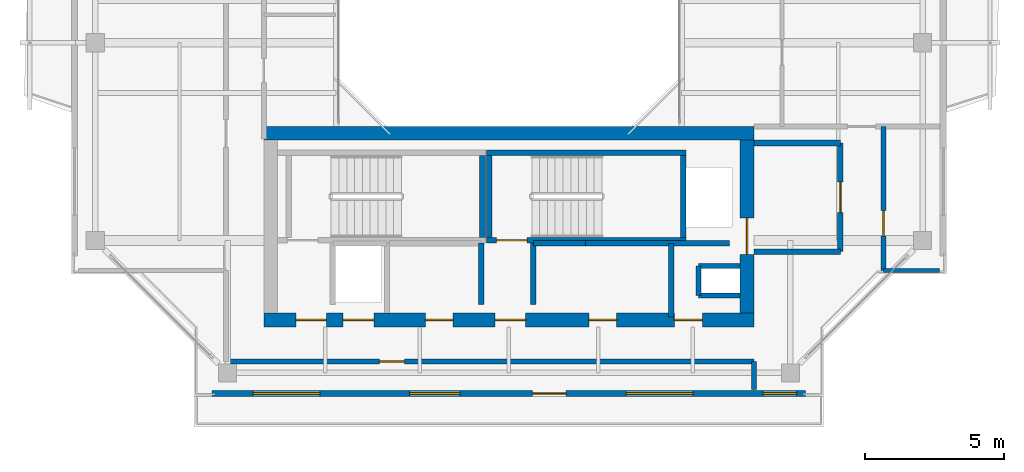
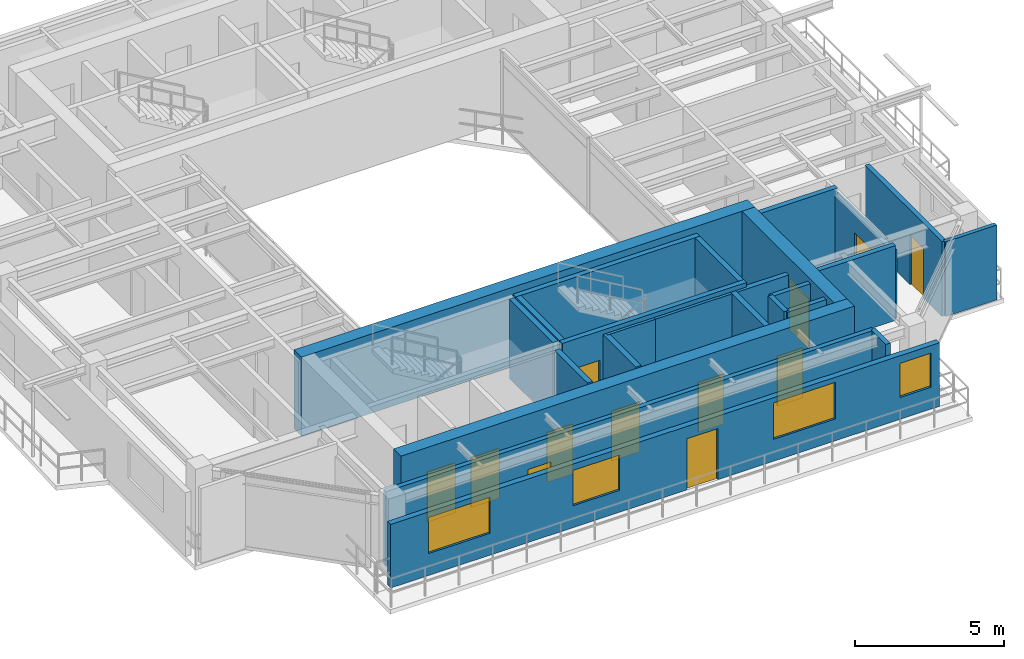
# One storey, part 9 of 15: 24 walls, 12 doors, 4 windows, 16 openings.
"""IFC4 building model written with IfcOpenShell, lengths in metres."""

from ifc_helpers import new_model, si_unit, direction, frame, frame_2d, origin, place, context, subcontext, project, spatial, rectangle, extrude, source, transform, mapped, material, layer, layer_set, type_object, element, fill, save


model = new_model("IFC4")

# Units and contexts
model_context = context("Model", 3, precision=1e-05, world=origin(), true_north=direction((0.0, 1.0)))
body_context = subcontext(model_context, "Body", "Model", "MODEL_VIEW")
ifc_project = project(units=[si_unit("LENGTHUNIT", "METRE"), si_unit("AREAUNIT", "SQUARE_METRE"), si_unit("VOLUMEUNIT", "CUBIC_METRE"), si_unit("PLANEANGLEUNIT", "RADIAN"), si_unit("MASSUNIT", "GRAM", prefix="KILO"), si_unit("THERMODYNAMICTEMPERATUREUNIT", "KELVIN"), si_unit("POWERUNIT", "WATT")], contexts=[model_context])

# Site, building, storey
site_placement = place(None, origin())
site = spatial("IfcSite", under=ifc_project, at=site_placement, CompositionType="ELEMENT")
building_placement = place(site_placement, origin())
building = spatial("IfcBuilding", under=site, at=building_placement, Name="Qiaomeng Ring Towers", CompositionType="ELEMENT")
storey_placement = place(building_placement, frame((0.0, 0.0, 237.25)))
storey = spatial("IfcBuildingStorey", under=building, at=storey_placement, Name="L69", CompositionType="ELEMENT", Elevation=237.25)

# Wall, openings, windows, door
ifc_material_1 = material(Name="Precast concrete C40", Category="concrete")
ifc_layer_1 = layer(ifc_material_1, 0.219970703125, Name="Precast concrete C40")
ifc_layer_set_1 = layer_set([ifc_layer_1], Name="Precast concrete C40")
wall_type_1 = type_object("IfcWallType", Name="ARC-WL-EW2", PredefinedType="STANDARD", material=ifc_layer_set_1)
wall_1_placement = place(storey_placement, frame((8.35009765625, 7.409912109375, 0.0), z_axis=(0.0, 0.0, 1.0), x_axis=(1.0, 0.0, 0.0)))
wall_1 = element("IfcWall", 1, at=wall_1_placement, inside=storey, type_object=wall_type_1, Name="L69 Tower 1 S Exterior Wall", PredefinedType="STANDARD", context=body_context, shape_type="SweptSolid", body=[
    extrude(rectangle(XDim=21.2998046875, YDim=0.219970703125, at=frame_2d((10.64990234375, 0.0))), origin(), (0.0, 0.0, 1.0), 2.610107421875),
])
opening_1_placement = place(wall_1_placement, frame((11.5, 0.0, 0.0)))
opening_1 = element("IfcOpeningElement", 2, at=opening_1_placement, cuts=wall_1, Name="Opening BD1", PredefinedType="OPENING", context=body_context, shape_type="SweptSolid", body=[
    extrude(rectangle(XDim=1.199951171875, YDim=2.10009765625, at=frame_2d((0.60009765625, 1.050048828125))), frame((0.0, 0.119873046875, 0.0), z_axis=(0.0, -1.0, 0.0), x_axis=(1.0, 0.0, 0.0)), (0.0, 0.0, 1.0), 0.239990234375),
])
opening_2_placement = place(wall_1_placement, frame((1.462890625, 0.0, 0.89990234375)))
opening_2 = element("IfcOpeningElement", 3, at=opening_2_placement, cuts=wall_1, Name="Opening WN6", PredefinedType="OPENING", context=body_context, shape_type="SweptSolid", body=[
    extrude(rectangle(XDim=2.39990234375, YDim=1.47998046875, at=frame_2d((1.199951171875, 0.739990234375))), frame((0.0, 0.119873046875, 0.0), z_axis=(0.0, -1.0, 0.0), x_axis=(1.0, 0.0, 0.0)), (0.0, 0.0, 1.0), 0.239990234375),
])
opening_3_placement = place(wall_1_placement, frame((7.087890625, 0.0, 0.89990234375)))
opening_3 = element("IfcOpeningElement", 4, at=opening_3_placement, cuts=wall_1, Name="Opening WN1", PredefinedType="OPENING", context=body_context, shape_type="SweptSolid", body=[
    extrude(rectangle(XDim=1.800048828125, YDim=1.449951171875, at=frame_2d((0.89990234375, 0.72509765625))), frame((0.0, 0.119873046875, 0.0), z_axis=(0.0, -1.0, 0.0), x_axis=(1.0, 0.0, 0.0)), (0.0, 0.0, 1.0), 0.239990234375),
])
opening_4_placement = place(wall_1_placement, frame((19.77490234375, 0.0, 0.89990234375)))
opening_4 = element("IfcOpeningElement", 5, at=opening_4_placement, cuts=wall_1, Name="Opening WN3", PredefinedType="OPENING", context=body_context, shape_type="SweptSolid", body=[
    extrude(rectangle(XDim=1.199951171875, YDim=1.39990234375, at=frame_2d((0.60009765625, 0.699951171875))), frame((0.0, 0.119873046875, 0.0), z_axis=(0.0, -1.0, 0.0), x_axis=(1.0, 0.0, 0.0)), (0.0, 0.0, 1.0), 0.239990234375),
])
opening_5_placement = place(wall_1_placement, frame((14.860107421875, 0.0, 0.89990234375)))
opening_5 = element("IfcOpeningElement", 6, at=opening_5_placement, cuts=wall_1, Name="Opening WN6", PredefinedType="OPENING", context=body_context, shape_type="SweptSolid", body=[
    extrude(rectangle(XDim=2.39990234375, YDim=1.5, at=frame_2d((1.199951171875, 0.75))), frame((0.0, 0.119873046875, 0.0), z_axis=(0.0, -1.0, 0.0), x_axis=(1.0, 0.0, 0.0)), (0.0, 0.0, 1.0), 0.239990234375),
])
ifc_material_2 = material(Name="Low-E dark-grey laminated double glazing", Category="glass")
window_type_1 = type_object("IfcWindowType", Name="ARC-WN-1", PartitioningType="DOUBLE_PANEL_VERTICAL", PredefinedType="WINDOW", material=ifc_material_2)
shared_shape_1 = source(origin(), body_context, "Body", "SweptSolid", [
    extrude(rectangle(XDim=1.800048828125, YDim=1.449951171875, at=frame_2d((0.89990234375, 0.72509765625))), frame((0.0, 0.030029296875, 0.0), z_axis=(0.0, -1.0, 0.0), x_axis=(1.0, 0.0, 0.0)), (0.0, 0.0, 1.0), 0.06005859375),
])
window_1_placement = place(opening_3_placement, origin())
window_1 = element("IfcWindow", 7, at=window_1_placement, inside=storey, type_object=window_type_1, Name="L69 Exterior Window WN1", OverallHeight=1.449951171875, OverallWidth=1.800048828125, PartitioningType="DOUBLE_PANEL_VERTICAL", PredefinedType="WINDOW", context=body_context, shape_type="MappedRepresentation", body=[
    mapped(shared_shape_1, transform((0.0, 0.0, 0.0), x_axis=(1.0, 0.0, 0.0), y_axis=(0.0, 1.0, 0.0), z_axis=(0.0, 0.0, 1.0), scale=1.0)),
])
fill(opening_3, window_1)
window_type_2 = type_object("IfcWindowType", Name="ARC-WN-6", PartitioningType="TRIPLE_PANEL_VERTICAL", PredefinedType="WINDOW", material=ifc_material_2)
shared_shape_2 = source(origin(), body_context, "Body", "SweptSolid", [
    extrude(rectangle(XDim=2.39990234375, YDim=1.47998046875, at=frame_2d((1.199951171875, 0.739990234375))), frame((0.0, 0.030029296875, 0.0), z_axis=(0.0, -1.0, 0.0), x_axis=(1.0, 0.0, 0.0)), (0.0, 0.0, 1.0), 0.06005859375),
])
window_2_placement = place(opening_2_placement, origin())
window_2 = element("IfcWindow", 8, at=window_2_placement, inside=storey, type_object=window_type_2, Name="L69 Exterior Window WN6", OverallHeight=1.47998046875, OverallWidth=2.39990234375, PartitioningType="TRIPLE_PANEL_VERTICAL", PredefinedType="WINDOW", context=body_context, shape_type="MappedRepresentation", body=[
    mapped(shared_shape_2, transform((0.0, 0.0, 0.0), x_axis=(1.0, 0.0, 0.0), y_axis=(0.0, 1.0, 0.0), z_axis=(0.0, 0.0, 1.0), scale=1.0)),
])
fill(opening_2, window_2)
door_type_1 = type_object("IfcDoorType", Name="ARC-DR-BD1", OperationType="NOTDEFINED", PredefinedType="DOOR", material=ifc_material_2)
shared_shape_3 = source(origin(), body_context, "Body", "SweptSolid", [
    extrude(rectangle(XDim=1.199951171875, YDim=2.10009765625, at=frame_2d((0.60009765625, 1.050048828125))), frame((0.0, 0.02490234375, 0.0), z_axis=(0.0, -1.0, 0.0), x_axis=(1.0, 0.0, 0.0)), (0.0, 0.0, 1.0), 0.050048828125),
])
door_1_placement = place(opening_1_placement, frame((1.199951171875, 0.0, 0.0), z_axis=(0.0, 0.0, 1.0), x_axis=(-1.0, 0.0, 0.0)))
door_1 = element("IfcDoor", 9, at=door_1_placement, inside=storey, type_object=door_type_1, Name="L69 Setback Sky Terrace Door", OperationType="SINGLE_SWING_RIGHT", OverallHeight=2.10009765625, OverallWidth=1.199951171875, PredefinedType="DOOR", context=body_context, shape_type="MappedRepresentation", body=[
    mapped(shared_shape_3, transform((0.0, 0.0, 0.0), x_axis=(1.0, 0.0, 0.0), y_axis=(0.0, 1.0, 0.0), z_axis=(0.0, 0.0, 1.0), scale=1.0)),
])
fill(opening_1, door_1)
shared_shape_4 = source(origin(), body_context, "Body", "SweptSolid", [
    extrude(rectangle(XDim=2.39990234375, YDim=1.5, at=frame_2d((1.199951171875, 0.75))), frame((0.0, 0.030029296875, 0.0), z_axis=(0.0, -1.0, 0.0), x_axis=(1.0, 0.0, 0.0)), (0.0, 0.0, 1.0), 0.06005859375),
])
window_3_placement = place(opening_5_placement, origin())
window_3 = element("IfcWindow", 10, at=window_3_placement, inside=storey, type_object=window_type_2, Name="L69 Exterior Window WN6", OverallHeight=1.5, OverallWidth=2.39990234375, PartitioningType="TRIPLE_PANEL_VERTICAL", PredefinedType="WINDOW", context=body_context, shape_type="MappedRepresentation", body=[
    mapped(shared_shape_4, transform((0.0, 0.0, 0.0), x_axis=(1.0, 0.0, 0.0), y_axis=(0.0, 1.0, 0.0), z_axis=(0.0, 0.0, 1.0), scale=1.0)),
])
fill(opening_5, window_3)
window_type_3 = type_object("IfcWindowType", Name="ARC-WN-3", PartitioningType="SINGLE_PANEL", PredefinedType="WINDOW", material=ifc_material_2)
shared_shape_5 = source(origin(), body_context, "Body", "SweptSolid", [
    extrude(rectangle(XDim=1.199951171875, YDim=1.39990234375, at=frame_2d((0.60009765625, 0.699951171875))), frame((0.0, 0.030029296875, 0.0), z_axis=(0.0, -1.0, 0.0), x_axis=(1.0, 0.0, 0.0)), (0.0, 0.0, 1.0), 0.06005859375),
])
window_4_placement = place(opening_4_placement, origin())
window_4 = element("IfcWindow", 11, at=window_4_placement, inside=storey, type_object=window_type_3, Name="L69 Exterior Window WN4", OverallHeight=1.39990234375, OverallWidth=1.199951171875, PartitioningType="TRIPLE_PANEL_VERTICAL", PredefinedType="WINDOW", context=body_context, shape_type="MappedRepresentation", body=[
    mapped(shared_shape_5, transform((0.0, 0.0, 0.0), x_axis=(1.0, 0.0, 0.0), y_axis=(0.0, 1.0, 0.0), z_axis=(0.0, 0.0, 1.0), scale=1.0)),
])
fill(opening_4, window_4)

# Walls
ifc_material_3 = material(Name="Autoclaved aerated concrete block", Category="concrete")
ifc_layer_2 = layer(ifc_material_3, 0.199951171875, Name="Autoclaved aerated concrete block")
ifc_layer_set_2 = layer_set([ifc_layer_2], Name="Autoclaved aerated concrete block")
wall_type_2 = type_object("IfcWallType", Name="ARC-WL-PW1", PredefinedType="PARTITIONING", material=ifc_layer_set_2)
for number, where, z_axis, x_axis, name in (
    (12, (27.800048828125, 16.39990234375, 0.0), (0.0, 0.0, 1.0), (1.0, 0.0, 0.0), "L69 Interior Wall PW1"),
    (13, (27.800048828125, 12.5, 0.0), (0.0, 0.0, 1.0), (1.0, 0.0, 0.0), "L69 Interior Wall PW1"),
):
    element("IfcWall", number, at=place(storey_placement, frame(where, z_axis=z_axis, x_axis=x_axis)), inside=storey, type_object=wall_type_2, Name=name, PredefinedType="PARTITIONING", context=body_context, shape_type="SweptSolid", body=[
        extrude(rectangle(XDim=3.099853515625, YDim=0.199951171875, at=frame_2d((1.5498046875, 0.0))), origin(), (0.0, 0.0, 1.0), 3.070068359375),
    ])

# Wall, opening, door
wall_2_placement = place(storey_placement, frame((30.89990234375, 12.5, 0.0), z_axis=(0.0, 0.0, 1.0), x_axis=(0.0, 1.0, 0.0)))
wall_2 = element("IfcWall", 14, at=wall_2_placement, inside=storey, type_object=wall_type_2, Name="L69 Interior Wall PW1", PredefinedType="PARTITIONING", context=body_context, shape_type="SweptSolid", body=[
    extrude(rectangle(XDim=3.89990234375, YDim=0.199951171875, at=frame_2d((1.949951171875, 0.0))), origin(), (0.0, 0.0, 1.0), 2.81494140625),
])
opening_6_placement = place(wall_2_placement, frame((1.39990234375, 0.0, 0.0)))
opening_6 = element("IfcOpeningElement", 15, at=opening_6_placement, cuts=wall_2, Name="Opening FD3", PredefinedType="OPENING", context=body_context, shape_type="SweptSolid", body=[
    extrude(rectangle(XDim=1.10009765625, YDim=2.050048828125, at=frame_2d((0.550048828125, 1.02490234375))), frame((0.0, 0.10986328125, 0.0), z_axis=(0.0, -1.0, 0.0), x_axis=(1.0, 0.0, 0.0)), (0.0, 0.0, 1.0), 0.219970703125),
])
ifc_material_4 = material(Name="Galvanised steel", Category="steel")
door_type_2 = type_object("IfcDoorType", Name="ARC-DR-FD3", OperationType="NOTDEFINED", PredefinedType="DOOR", material=ifc_material_4)
shared_shape_6 = source(origin(), body_context, "Body", "SweptSolid", [
    extrude(rectangle(XDim=1.10009765625, YDim=2.050048828125, at=frame_2d((0.550048828125, 1.02490234375))), frame((0.0, 0.02490234375, 0.0), z_axis=(0.0, -1.0, 0.0), x_axis=(1.0, 0.0, 0.0)), (0.0, 0.0, 1.0), 0.050048828125),
])
door_2_placement = place(opening_6_placement, origin())
door_2 = element("IfcDoor", 16, at=door_2_placement, inside=storey, type_object=door_type_2, Name="L69 South FF Lobby Door", OperationType="SINGLE_SWING_LEFT", OverallHeight=2.050048828125, OverallWidth=1.10009765625, PredefinedType="DOOR", context=body_context, shape_type="MappedRepresentation", body=[
    mapped(shared_shape_6, transform((0.0, 0.0, 0.0), x_axis=(1.0, 0.0, 0.0), y_axis=(0.0, 1.0, 0.0), z_axis=(0.0, 0.0, 1.0), scale=1.0)),
])
fill(opening_6, door_2)

# Walls
for number, where, z_axis, x_axis, name in (
    (17, (18.0, 10.60009765625, 0.0), (0.0, 0.0, 1.0), (0.0, 1.0, 0.0), "L69 Interior Wall PW1"),
    (18, (19.8798828125, 10.60009765625, 0.0), (0.0, 0.0, 1.0), (0.0, 1.0, 0.0), "L69 Interior Wall PW1"),
):
    element("IfcWall", number, at=place(storey_placement, frame(where, z_axis=z_axis, x_axis=x_axis)), inside=storey, type_object=wall_type_2, Name=name, PredefinedType="PARTITIONING", context=body_context, shape_type="SweptSolid", body=[
        extrude(rectangle(XDim=2.2099609375, YDim=0.199951171875, at=frame_2d((1.10498046875, 0.0))), origin(), (0.0, 0.0, 1.0), 3.070068359375),
    ])
wall_3_placement = place(storey_placement, frame((24.820068359375, 10.14990234375, 0.0), z_axis=(0.0, 0.0, 1.0), x_axis=(0.0, 1.0, 0.0)))
element("IfcWall", 19, at=wall_3_placement, inside=storey, type_object=wall_type_2, Name="L69 Interior Wall PW1", PredefinedType="PARTITIONING", context=body_context, shape_type="SweptSolid", body=[
    extrude(rectangle(XDim=2.650146484375, YDim=0.199951171875, at=frame_2d((1.3251953125, 0.0))), origin(), (0.0, 0.0, 1.0), 3.070068359375),
])
wall_4_placement = place(storey_placement, frame((19.8798828125, 12.800048828125, 0.0), z_axis=(0.0, 0.0, 1.0), x_axis=(1.0, 0.0, 0.0)))
element("IfcWall", 20, at=wall_4_placement, inside=storey, type_object=wall_type_2, Name="L69 Interior Wall PW1", PredefinedType="PARTITIONING", context=body_context, shape_type="SweptSolid", body=[
    extrude(rectangle(XDim=1.8701171875, YDim=0.199951171875, at=frame_2d((0.93505859375, 0.0))), origin(), (0.0, 0.0, 1.0), 3.070068359375),
])
wall_5_placement = place(storey_placement, frame((21.75, 12.800048828125, 0.0), z_axis=(0.0, 0.0, 1.0), x_axis=(1.0, 0.0, 0.0)))
element("IfcWall", 21, at=wall_5_placement, inside=storey, type_object=wall_type_2, Name="L69 Interior Wall PW1", PredefinedType="PARTITIONING", context=body_context, shape_type="SweptSolid", body=[
    extrude(rectangle(XDim=5.169921875, YDim=0.199951171875, at=frame_2d((2.5849609375, 0.0))), origin(), (0.0, 0.0, 1.0), 3.070068359375),
])
ifc_layer_3 = layer(ifc_material_3, 0.179931640625, Name="Autoclaved aerated concrete block")
ifc_layer_set_3 = layer_set([ifc_layer_3], Name="Autoclaved aerated concrete block")
wall_type_3 = type_object("IfcWallType", Name="ARC-WL-PW2", PredefinedType="PARTITIONING", material=ifc_layer_set_3)
wall_6_placement = place(storey_placement, frame((27.800048828125, 7.550048828125, 0.0), z_axis=(0.0, 0.0, 1.0), x_axis=(0.0, 1.0, 0.0)))
element("IfcWall", 22, at=wall_6_placement, inside=storey, type_object=wall_type_3, Name="L69 Interior Wall PW2", PredefinedType="PARTITIONING", context=body_context, shape_type="SweptSolid", body=[
    extrude(rectangle(XDim=1.010009765625, YDim=0.179931640625, at=frame_2d((0.5048828125, 0.0))), origin(), (0.0, 0.0, 1.0), 3.070068359375),
])

# Wall, opening, door
wall_7_placement = place(storey_placement, frame((8.85009765625, 8.56005859375, 0.0), z_axis=(0.0, 0.0, 1.0), x_axis=(1.0, 0.0, 0.0)))
wall_7 = element("IfcWall", 23, at=wall_7_placement, inside=storey, type_object=wall_type_3, Name="L69 Interior Wall PW2", PredefinedType="PARTITIONING", context=body_context, shape_type="SweptSolid", body=[
    extrude(rectangle(XDim=18.949951171875, YDim=0.179931640625, at=frame_2d((9.47509765625, 0.0))), origin(), (0.0, 0.0, 1.0), 3.070068359375),
])
opening_7_placement = place(wall_7_placement, frame((5.5, 0.0, 0.0)))
opening_7 = element("IfcOpeningElement", 24, at=opening_7_placement, cuts=wall_7, Name="Opening ID1", PredefinedType="OPENING", context=body_context, shape_type="SweptSolid", body=[
    extrude(rectangle(XDim=0.89990234375, YDim=2.050048828125, at=frame_2d((0.449951171875, 1.02490234375))), frame((0.0, 0.099853515625, 0.0), z_axis=(0.0, -1.0, 0.0), x_axis=(1.0, 0.0, 0.0)), (0.0, 0.0, 1.0), 0.199951171875),
])
ifc_material_5 = material(Name="Engineered oak timber", Category="wood")
door_type_3 = type_object("IfcDoorType", Name="ARC-DR-ID1", OperationType="NOTDEFINED", PredefinedType="DOOR", material=ifc_material_5)
shared_shape_7 = source(origin(), body_context, "Body", "SweptSolid", [
    extrude(rectangle(XDim=0.89990234375, YDim=2.050048828125, at=frame_2d((0.449951171875, 1.02490234375))), frame((0.0, 0.02490234375, 0.0), z_axis=(0.0, -1.0, 0.0), x_axis=(1.0, 0.0, 0.0)), (0.0, 0.0, 1.0), 0.050048828125),
])
door_3_placement = place(opening_7_placement, origin())
door_3 = element("IfcDoor", 25, at=door_3_placement, inside=storey, type_object=door_type_3, Name="L69 Door ID1", OperationType="SINGLE_SWING_RIGHT", OverallHeight=2.050048828125, OverallWidth=0.89990234375, PredefinedType="DOOR", context=body_context, shape_type="MappedRepresentation", body=[
    mapped(shared_shape_7, transform((0.0, 0.0, 0.0), x_axis=(1.0, 0.0, 0.0), y_axis=(0.0, 1.0, 0.0), z_axis=(0.0, 0.0, 1.0), scale=1.0)),
])
fill(opening_7, door_3)

wall_8_placement = place(storey_placement, frame((32.449951171875, 11.820068359375, 0.0), z_axis=(0.0, 0.0, 1.0), x_axis=(0.0, 1.0, 0.0)))
wall_8 = element("IfcWall", 26, at=wall_8_placement, inside=storey, type_object=wall_type_3, Name="L69 Interior Wall PW2", PredefinedType="PARTITIONING", context=body_context, shape_type="SweptSolid", body=[
    extrude(rectangle(XDim=5.179931640625, YDim=0.179931640625, at=frame_2d((2.58984375, 0.0))), origin(), (0.0, 0.0, 1.0), 3.070068359375),
])
opening_8_placement = place(wall_8_placement, frame((1.25, 0.0, 0.0)))
opening_8 = element("IfcOpeningElement", 27, at=opening_8_placement, cuts=wall_8, Name="Opening ID1", PredefinedType="OPENING", context=body_context, shape_type="SweptSolid", body=[
    extrude(rectangle(XDim=0.89990234375, YDim=2.050048828125, at=frame_2d((0.449951171875, 1.02490234375))), frame((0.0, 0.099853515625, 0.0), z_axis=(0.0, -1.0, 0.0), x_axis=(1.0, 0.0, 0.0)), (0.0, 0.0, 1.0), 0.199951171875),
])
door_4_placement = place(opening_8_placement, origin())
door_4 = element("IfcDoor", 28, at=door_4_placement, inside=storey, type_object=door_type_3, Name="L69 Door ID1", OperationType="SINGLE_SWING_LEFT", OverallHeight=2.050048828125, OverallWidth=0.89990234375, PredefinedType="DOOR", context=body_context, shape_type="MappedRepresentation", body=[
    mapped(shared_shape_7, transform((0.0, 0.0, 0.0), x_axis=(1.0, 0.0, 0.0), y_axis=(0.0, 1.0, 0.0), z_axis=(0.0, 0.0, 1.0), scale=1.0)),
])
fill(opening_8, door_4)

# Walls
ifc_material_6 = material(Name="Gypsum fireboard steel-stud partition", Category="steel")
ifc_layer_4 = layer(ifc_material_6, 0.14990234375, Name="Gypsum fireboard steel-stud partition")
ifc_layer_set_4 = layer_set([ifc_layer_4], Name="Gypsum fireboard steel-stud partition")
wall_type_4 = type_object("IfcWallType", Name="ARC-WL-PW3", PredefinedType="PARTITIONING", material=ifc_layer_set_4)
wall_9_placement = place(storey_placement, frame((32.449951171875, 11.820068359375, 0.0), z_axis=(0.0, 0.0, 1.0), x_axis=(1.0, 0.0, 0.0)))
element("IfcWall", 29, at=wall_9_placement, inside=storey, type_object=wall_type_4, Name="L69 Interior Wall PW3", PredefinedType="PARTITIONING", context=body_context, shape_type="SweptSolid", body=[
    extrude(rectangle(XDim=2.0, YDim=0.14990234375, at=frame_2d((1.0, 0.0))), origin(), (0.0, 0.0, 1.0), 3.070068359375),
])
ifc_material_7 = material(Name="Concrete C40", Category="concrete")
ifc_layer_5 = layer(ifc_material_7, 0.199951171875, Name="Concrete C40")
ifc_layer_set_5 = layer_set([ifc_layer_5], Name="Concrete C40")
wall_type_5 = type_object("IfcWallType", Name="STR-WL-STSHAFT", PredefinedType="SHEAR", material=ifc_layer_set_5)
wall_10_placement = place(storey_placement, frame((25.800048828125, 10.919921875, 0.0), z_axis=(0.0, 0.0, 1.0), x_axis=(0.0, 1.0, 0.0)))
element("IfcWall", 30, at=wall_10_placement, inside=storey, type_object=wall_type_5, Name="L69 Riser RSR1 West Shaft Wall S", PredefinedType="SHEAR", context=body_context, shape_type="SweptSolid", body=[
    extrude(rectangle(XDim=1.06005859375, YDim=0.179931640625, at=frame_2d((0.530029296875, 0.0))), origin(), (0.0, 0.0, 1.0), 3.070068359375),
])
for number, where, z_axis, x_axis, name in (
    (31, (25.800048828125, 11.97998046875, 0.0), (0.0, 0.0, 1.0), (1.0, 0.0, 0.0), "L69 Riser RSR1 North Shaft Wall S"),
    (32, (25.800048828125, 10.919921875, 0.0), (0.0, 0.0, 1.0), (1.0, 0.0, 0.0), "L69 Riser RSR1 South Shaft Wall S"),
):
    element("IfcWall", number, at=place(storey_placement, frame(where, z_axis=z_axis, x_axis=x_axis)), inside=storey, type_object=wall_type_5, Name=name, PredefinedType="SHEAR", context=body_context, shape_type="SweptSolid", body=[
        extrude(rectangle(XDim=1.5, YDim=0.179931640625, at=frame_2d((0.75, 0.0))), origin(), (0.0, 0.0, 1.0), 3.070068359375),
    ])
wall_11_placement = place(storey_placement, frame((18.050048828125, 13.010009765625, 0.0), z_axis=(0.0, 0.0, 1.0), x_axis=(0.0, 1.0, 0.0)))
element("IfcWall", 33, at=wall_11_placement, inside=storey, type_object=wall_type_5, Name="L69 Stair ST3 East Shaft Shear Wall", PredefinedType="SHEAR", context=body_context, shape_type="SweptSolid", body=[
    extrude(rectangle(XDim=2.93994140625, YDim=0.199951171875, at=frame_2d((1.469970703125, 0.0))), origin(), (0.0, 0.0, 1.0), 3.25),
])

# Wall, opening, door
wall_12_placement = place(storey_placement, frame((18.199951171875, 12.909912109375, 0.0), z_axis=(0.0, 0.0, 1.0), x_axis=(1.0, 0.0, 0.0)))
wall_12 = element("IfcWall", 34, at=wall_12_placement, inside=storey, type_object=wall_type_5, Name="L69 Stair ST4 South Shaft Shear Wall", PredefinedType="SHEAR", context=body_context, shape_type="SweptSolid", body=[
    extrude(rectangle(XDim=7.150146484375, YDim=0.199951171875, at=frame_2d((3.5751953125, 0.0))), origin(), (0.0, 0.0, 1.0), 3.25),
])
opening_9_placement = place(wall_12_placement, frame((0.35009765625, 0.0, 0.0)))
opening_9 = element("IfcOpeningElement", 35, at=opening_9_placement, cuts=wall_12, Name="Opening FD3", PredefinedType="OPENING", context=body_context, shape_type="SweptSolid", body=[
    extrude(rectangle(XDim=1.10009765625, YDim=2.050048828125, at=frame_2d((0.550048828125, 1.02490234375))), frame((0.0, 0.10986328125, 0.0), z_axis=(0.0, -1.0, 0.0), x_axis=(1.0, 0.0, 0.0)), (0.0, 0.0, 1.0), 0.219970703125),
])
door_5_placement = place(opening_9_placement, frame((1.10009765625, 0.0, 0.0), z_axis=(0.0, 0.0, 1.0), x_axis=(-1.0, 0.0, 0.0)))
door_5 = element("IfcDoor", 36, at=door_5_placement, inside=storey, type_object=door_type_2, Name="L69 Stair ST4 Exit Door", OperationType="SINGLE_SWING_LEFT", OverallHeight=2.050048828125, OverallWidth=1.10009765625, PredefinedType="DOOR", context=body_context, shape_type="MappedRepresentation", body=[
    mapped(shared_shape_6, transform((0.0, 0.0, 0.0), x_axis=(1.0, 0.0, 0.0), y_axis=(0.0, 1.0, 0.0), z_axis=(0.0, 0.0, 1.0), scale=1.0)),
])
fill(opening_9, door_5)

# Walls
wall_13_placement = place(storey_placement, frame((18.199951171875, 16.050048828125, 0.0), z_axis=(0.0, 0.0, 1.0), x_axis=(1.0, 0.0, 0.0)))
element("IfcWall", 37, at=wall_13_placement, inside=storey, type_object=wall_type_5, Name="L69 Stair ST4 North Shaft Shear Wall", PredefinedType="SHEAR", context=body_context, shape_type="SweptSolid", body=[
    extrude(rectangle(XDim=7.150146484375, YDim=0.199951171875, at=frame_2d((3.5751953125, 0.0))), origin(), (0.0, 0.0, 1.0), 3.25),
])
for number, where, z_axis, x_axis, name in (
    (38, (18.300048828125, 13.010009765625, 0.0), (0.0, 0.0, 1.0), (0.0, 1.0, 0.0), "L69 Stair ST4 West Shaft Shear Wall"),
    (39, (25.25, 13.010009765625, 0.0), (0.0, 0.0, 1.0), (0.0, 1.0, 0.0), "L69 Stair ST4 East Shaft Shear Wall"),
):
    element("IfcWall", number, at=place(storey_placement, frame(where, z_axis=z_axis, x_axis=x_axis)), inside=storey, type_object=wall_type_5, Name=name, PredefinedType="SHEAR", context=body_context, shape_type="SweptSolid", body=[
        extrude(rectangle(XDim=2.93994140625, YDim=0.199951171875, at=frame_2d((1.469970703125, 0.0))), origin(), (0.0, 0.0, 1.0), 3.25),
    ])

# Wall, openings, doors
ifc_layer_6 = layer(ifc_material_7, 0.5, Name="Concrete C40")
ifc_layer_set_6 = layer_set([ifc_layer_6], Name="Concrete C40")
wall_type_6 = type_object("IfcWallType", Name="STR-WL-SW3", PredefinedType="SHEAR", material=ifc_layer_set_6)
wall_14_placement = place(storey_placement, frame((10.199951171875, 10.050048828125, 0.0), z_axis=(0.0, 0.0, 1.0), x_axis=(1.0, 0.0, 0.0)))
wall_14 = element("IfcWall", 40, at=wall_14_placement, inside=storey, type_object=wall_type_6, Name="L69 T1SC south core shear wall", PredefinedType="SHEAR", context=body_context, shape_type="SweptSolid", body=[
    extrude(rectangle(XDim=17.60009765625, YDim=0.5, at=frame_2d((8.800048828125, 0.0))), origin(), (0.0, 0.0, 1.0), 3.25),
])
opening_10_placement = place(wall_14_placement, frame((1.14990234375, 0.0, 0.0)))
opening_10 = element("IfcOpeningElement", 41, at=opening_10_placement, cuts=wall_14, Name="Opening FD3", PredefinedType="OPENING", context=body_context, shape_type="SweptSolid", body=[
    extrude(rectangle(XDim=1.10009765625, YDim=2.050048828125, at=frame_2d((0.550048828125, 1.02490234375))), frame((0.0, 0.260009765625, 0.0), z_axis=(0.0, -1.0, 0.0), x_axis=(1.0, 0.0, 0.0)), (0.0, 0.0, 1.0), 0.52001953125),
])
opening_11_placement = place(wall_14_placement, frame((8.300048828125, 0.0, 0.0)))
opening_11 = element("IfcOpeningElement", 42, at=opening_11_placement, cuts=wall_14, Name="Opening FD3", PredefinedType="OPENING", context=body_context, shape_type="SweptSolid", body=[
    extrude(rectangle(XDim=1.10009765625, YDim=2.050048828125, at=frame_2d((0.550048828125, 1.02490234375))), frame((0.0, 0.260009765625, 0.0), z_axis=(0.0, -1.0, 0.0), x_axis=(1.0, 0.0, 0.0)), (0.0, 0.0, 1.0), 0.52001953125),
])
opening_12_placement = place(wall_14_placement, frame((2.85009765625, 0.0, 0.0)))
opening_12 = element("IfcOpeningElement", 43, at=opening_12_placement, cuts=wall_14, Name="Opening LD1", PredefinedType="OPENING", context=body_context, shape_type="SweptSolid", body=[
    extrude(rectangle(XDim=1.10009765625, YDim=2.050048828125, at=frame_2d((0.550048828125, 1.02490234375))), frame((0.0, 0.260009765625, 0.0), z_axis=(0.0, -1.0, 0.0), x_axis=(1.0, 0.0, 0.0)), (0.0, 0.0, 1.0), 0.52001953125),
])
opening_13_placement = place(wall_14_placement, frame((5.800048828125, 0.0, 0.0)))
opening_13 = element("IfcOpeningElement", 44, at=opening_13_placement, cuts=wall_14, Name="Opening FD1", PredefinedType="OPENING", context=body_context, shape_type="SweptSolid", body=[
    extrude(rectangle(XDim=1.0, YDim=2.050048828125, at=frame_2d((0.5, 1.02490234375))), frame((0.0, 0.260009765625, 0.0), z_axis=(0.0, -1.0, 0.0), x_axis=(1.0, 0.0, 0.0)), (0.0, 0.0, 1.0), 0.52001953125),
])
opening_14_placement = place(wall_14_placement, frame((14.739990234375, 0.0, 0.0)))
opening_14 = element("IfcOpeningElement", 45, at=opening_14_placement, cuts=wall_14, Name="Opening FD1", PredefinedType="OPENING", context=body_context, shape_type="SweptSolid", body=[
    extrude(rectangle(XDim=1.0, YDim=2.050048828125, at=frame_2d((0.5, 1.02490234375))), frame((0.0, 0.260009765625, 0.0), z_axis=(0.0, -1.0, 0.0), x_axis=(1.0, 0.0, 0.0)), (0.0, 0.0, 1.0), 0.52001953125),
])
opening_15_placement = place(wall_14_placement, frame((11.669921875, 0.0, 0.0)))
opening_15 = element("IfcOpeningElement", 46, at=opening_15_placement, cuts=wall_14, Name="Opening FD1", PredefinedType="OPENING", context=body_context, shape_type="SweptSolid", body=[
    extrude(rectangle(XDim=1.0, YDim=2.050048828125, at=frame_2d((0.5, 1.02490234375))), frame((0.0, 0.260009765625, 0.0), z_axis=(0.0, -1.0, 0.0), x_axis=(1.0, 0.0, 0.0)), (0.0, 0.0, 1.0), 0.52001953125),
])
door_6_placement = place(opening_10_placement, origin())
door_6 = element("IfcDoor", 47, at=door_6_placement, inside=storey, type_object=door_type_2, Name="L69 Stair ST3 Lobby Door", OperationType="SINGLE_SWING_RIGHT", OverallHeight=2.050048828125, OverallWidth=1.10009765625, PredefinedType="DOOR", context=body_context, shape_type="MappedRepresentation", body=[
    mapped(shared_shape_6, transform((0.0, 0.0, 0.0), x_axis=(1.0, 0.0, 0.0), y_axis=(0.0, 1.0, 0.0), z_axis=(0.0, 0.0, 1.0), scale=1.0)),
])
fill(opening_10, door_6)
door_7_placement = place(opening_11_placement, origin())
door_7 = element("IfcDoor", 48, at=door_7_placement, inside=storey, type_object=door_type_2, Name="L69 Stair ST4 Lobby Door", OperationType="SINGLE_SWING_RIGHT", OverallHeight=2.050048828125, OverallWidth=1.10009765625, PredefinedType="DOOR", context=body_context, shape_type="MappedRepresentation", body=[
    mapped(shared_shape_6, transform((0.0, 0.0, 0.0), x_axis=(1.0, 0.0, 0.0), y_axis=(0.0, 1.0, 0.0), z_axis=(0.0, 0.0, 1.0), scale=1.0)),
])
fill(opening_11, door_7)
ifc_material_8 = material(Name="Stainless steel 316", Category="steel")
door_type_4 = type_object("IfcDoorType", Name="ARC-DR-LD1", OperationType="NOTDEFINED", PredefinedType="DOOR", material=ifc_material_8)
door_8_placement = place(opening_12_placement, origin())
door_8 = element("IfcDoor", 49, at=door_8_placement, inside=storey, type_object=door_type_4, Name="L69 High-Zone Lift LP6 Landing Door", OperationType="SLIDING_TO_RIGHT", OverallHeight=2.050048828125, OverallWidth=1.10009765625, PredefinedType="DOOR", context=body_context, shape_type="MappedRepresentation", body=[
    mapped(shared_shape_6, transform((0.0, 0.0, 0.0), x_axis=(1.0, 0.0, 0.0), y_axis=(0.0, 1.0, 0.0), z_axis=(0.0, 0.0, 1.0), scale=1.0)),
])
fill(opening_12, door_8)
door_type_5 = type_object("IfcDoorType", Name="ARC-DR-FD1", OperationType="NOTDEFINED", PredefinedType="DOOR", material=ifc_material_4)
shared_shape_8 = source(origin(), body_context, "Body", "SweptSolid", [
    extrude(rectangle(XDim=1.0, YDim=2.050048828125, at=frame_2d((0.5, 1.02490234375))), frame((0.0, 0.02490234375, 0.0), z_axis=(0.0, -1.0, 0.0), x_axis=(1.0, 0.0, 0.0)), (0.0, 0.0, 1.0), 0.050048828125),
])
door_9_placement = place(opening_13_placement, origin())
door_9 = element("IfcDoor", 50, at=door_9_placement, inside=storey, type_object=door_type_5, Name="L69 High-Zone Freed Core Room Door", OperationType="SINGLE_SWING_LEFT", OverallHeight=2.050048828125, OverallWidth=1.0, PredefinedType="DOOR", context=body_context, shape_type="MappedRepresentation", body=[
    mapped(shared_shape_8, transform((0.0, 0.0, 0.0), x_axis=(1.0, 0.0, 0.0), y_axis=(0.0, 1.0, 0.0), z_axis=(0.0, 0.0, 1.0), scale=1.0)),
])
fill(opening_13, door_9)
door_10_placement = place(opening_14_placement, origin())
door_10 = element("IfcDoor", 51, at=door_10_placement, inside=storey, type_object=door_type_5, Name="L69 South Electrical Riser Door", OperationType="SINGLE_SWING_LEFT", OverallHeight=2.050048828125, OverallWidth=1.0, PredefinedType="DOOR", context=body_context, shape_type="MappedRepresentation", body=[
    mapped(shared_shape_8, transform((0.0, 0.0, 0.0), x_axis=(1.0, 0.0, 0.0), y_axis=(0.0, 1.0, 0.0), z_axis=(0.0, 0.0, 1.0), scale=1.0)),
])
fill(opening_14, door_10)
door_11_placement = place(opening_15_placement, origin())
door_11 = element("IfcDoor", 52, at=door_11_placement, inside=storey, type_object=door_type_5, Name="L69 South Building Management Office Door", OperationType="SINGLE_SWING_RIGHT", OverallHeight=2.050048828125, OverallWidth=1.0, PredefinedType="DOOR", context=body_context, shape_type="MappedRepresentation", body=[
    mapped(shared_shape_8, transform((0.0, 0.0, 0.0), x_axis=(1.0, 0.0, 0.0), y_axis=(0.0, 1.0, 0.0), z_axis=(0.0, 0.0, 1.0), scale=1.0)),
])
fill(opening_15, door_11)

# Wall
wall_15_placement = place(storey_placement, frame((10.199951171875, 16.75, 0.0), z_axis=(0.0, 0.0, 1.0), x_axis=(1.0, 0.0, 0.0)))
element("IfcWall", 53, at=wall_15_placement, inside=storey, type_object=wall_type_6, Name="L69 T1SC north core shear wall", PredefinedType="SHEAR", context=body_context, shape_type="SweptSolid", body=[
    extrude(rectangle(XDim=17.60009765625, YDim=0.5, at=frame_2d((8.800048828125, 0.0))), origin(), (0.0, 0.0, 1.0), 3.25),
])

# Wall, opening, door
wall_16_placement = place(storey_placement, frame((27.550048828125, 10.300048828125, 0.0), z_axis=(0.0, 0.0, 1.0), x_axis=(0.0, 1.0, 0.0)))
wall_16 = element("IfcWall", 54, at=wall_16_placement, inside=storey, type_object=wall_type_6, Name="L69 T1SC east core shear wall", PredefinedType="SHEAR", context=body_context, shape_type="SweptSolid", body=[
    extrude(rectangle(XDim=6.199951171875, YDim=0.5, at=frame_2d((3.10009765625, 0.0))), origin(), (0.0, 0.0, 1.0), 3.25),
])
opening_16_placement = place(wall_16_placement, frame((2.10009765625, 0.0, 0.0)))
opening_16 = element("IfcOpeningElement", 55, at=opening_16_placement, cuts=wall_16, Name="Opening LD2", PredefinedType="OPENING", context=body_context, shape_type="SweptSolid", body=[
    extrude(rectangle(XDim=1.300048828125, YDim=2.050048828125, at=frame_2d((0.64990234375, 1.02490234375))), frame((0.0, 0.260009765625, 0.0), z_axis=(0.0, -1.0, 0.0), x_axis=(1.0, 0.0, 0.0)), (0.0, 0.0, 1.0), 0.52001953125),
])
door_type_6 = type_object("IfcDoorType", Name="ARC-DR-LD2", OperationType="NOTDEFINED", PredefinedType="DOOR", material=ifc_material_8)
shared_shape_9 = source(origin(), body_context, "Body", "SweptSolid", [
    extrude(rectangle(XDim=1.300048828125, YDim=2.050048828125, at=frame_2d((0.64990234375, 1.02490234375))), frame((0.0, 0.02490234375, 0.0), z_axis=(0.0, -1.0, 0.0), x_axis=(1.0, 0.0, 0.0)), (0.0, 0.0, 1.0), 0.050048828125),
])
door_12_placement = place(opening_16_placement, origin())
door_12 = element("IfcDoor", 56, at=door_12_placement, inside=storey, type_object=door_type_6, Name="L69 Firefighting Lift FL2 Landing Door", OperationType="SLIDING_TO_RIGHT", OverallHeight=2.050048828125, OverallWidth=1.300048828125, PredefinedType="DOOR", context=body_context, shape_type="MappedRepresentation", body=[
    mapped(shared_shape_9, transform((0.0, 0.0, 0.0), x_axis=(1.0, 0.0, 0.0), y_axis=(0.0, 1.0, 0.0), z_axis=(0.0, 0.0, 1.0), scale=1.0)),
])
fill(opening_16, door_12)

save(model, "model.ifc")
